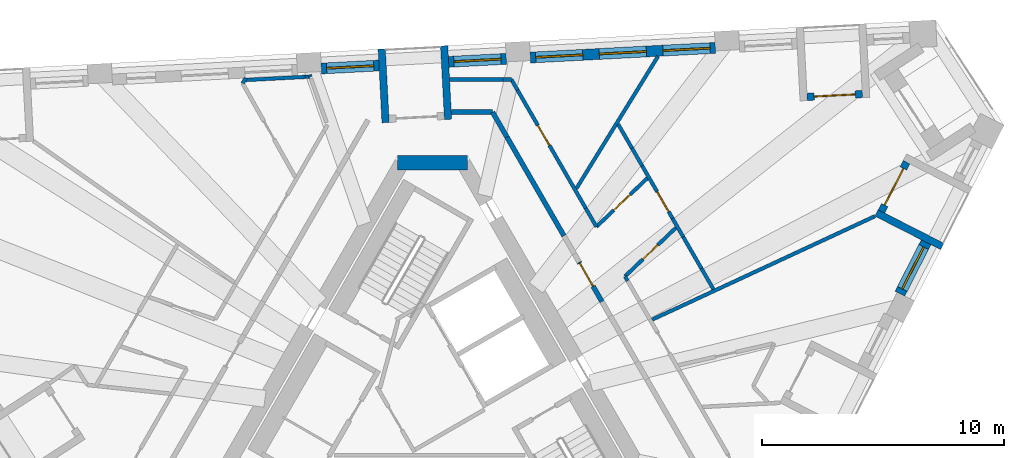
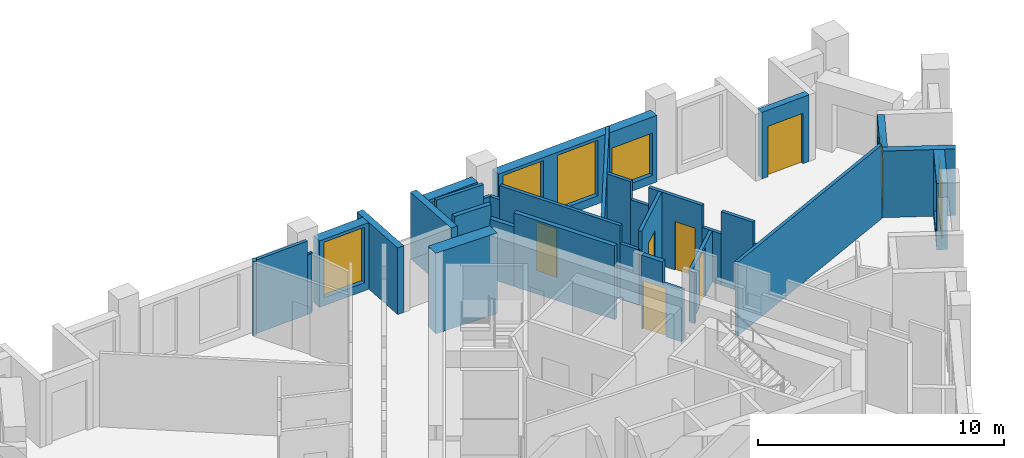
# One storey, part 8 of 13: 34 walls, 7 doors, 6 windows, 13 openings.
"""IFC4 building model written with IfcOpenShell, lengths in metres."""

from ifc_helpers import new_model, si_unit, direction, frame, frame_2d, origin, place, context, subcontext, project, spatial, polyline, rectangle, outline, extrude, material, layer, layer_set, type_object, element, fill, save


model = new_model("IFC4")

# Units and contexts
model_context = context("Model", 3, precision=1e-05, world=origin(), true_north=direction((0.0, 1.0)))
body_context = subcontext(model_context, "Body", "Model", "MODEL_VIEW")
ifc_project = project(units=[si_unit("LENGTHUNIT", "METRE"), si_unit("AREAUNIT", "SQUARE_METRE"), si_unit("VOLUMEUNIT", "CUBIC_METRE"), si_unit("PLANEANGLEUNIT", "RADIAN"), si_unit("MASSUNIT", "GRAM", prefix="KILO")], contexts=[model_context])

# Site, building, storey
site_placement = place(None, origin())
site = spatial("IfcSite", under=ifc_project, at=site_placement, CompositionType="ELEMENT")
building_placement = place(site_placement, origin())
building = spatial("IfcBuilding", under=site, at=building_placement, Name="Tramontana Tower", CompositionType="ELEMENT")
storey_placement = place(building_placement, frame((0.0, 0.0, 294.39990234375)))
storey = spatial("IfcBuildingStorey", under=building, at=storey_placement, Name="L69", CompositionType="ELEMENT", Elevation=294.39990234375)

# Walls
ifc_material_1 = material(Name="Concrete 70 MPa", Category="concrete")
ifc_layer_1 = layer(ifc_material_1, 0.60009765625)
ifc_layer_set_1 = layer_set([ifc_layer_1], Name="Core wall 600 70 MPa")
wall_type_1 = type_object("IfcWallType", Name="Core wall 600 70 MPa", PredefinedType="SHEAR", material=ifc_layer_set_1)
wall_1_placement = place(storey_placement, frame((1.443359375, 10.699951171875, 0.0), z_axis=(0.0, 0.0, 1.0), x_axis=(-1.0, 0.0, 0.0)))
element("IfcWall", 1, at=wall_1_placement, inside=storey, type_object=wall_type_1, Name="Core wall C0 L69", PredefinedType="SHEAR", context=body_context, shape_type="SweptSolid", body=[
    extrude(rectangle(XDim=2.88671875, YDim=0.60009765625, at=frame_2d((1.443359375, 0.0))), origin(), (0.0, 0.0, 1.0), 4.0),
])
ifc_material_2 = material(Name="Blockwork", Category="masonry")
ifc_layer_2 = layer(ifc_material_2, 0.199951171875)
ifc_layer_set_2 = layer_set([ifc_layer_2], Name="ENTRY WALL 200")
wall_type_2 = type_object("IfcWallType", Name="ENTRY WALL 200", PredefinedType="SOLIDWALL", material=ifc_layer_set_2)
wall_2_placement = place(storey_placement, frame((0.774658203125, 12.800048828125, 0.0), z_axis=(0.0, 0.0, 1.0), x_axis=(1.0, 0.0, 0.0)))
element("IfcWall", 2, at=wall_2_placement, inside=storey, type_object=wall_type_2, Name="Wall v71-ew4", PredefinedType="SOLIDWALL", context=body_context, shape_type="SweptSolid", body=[
    extrude(rectangle(XDim=1.7080078125, YDim=0.199951171875, at=frame_2d((0.85400390625, 0.0))), origin(), (0.0, 0.0, 1.0), 3.650146484375),
])
wall_3_placement = place(storey_placement, frame((2.482666015625, 12.800048828125, 0.0), z_axis=(0.0, 0.0, 1.0), x_axis=(0.499983247966, -0.86603507536, 0.0)))
element("IfcWall", 3, at=wall_3_placement, inside=storey, type_object=wall_type_2, Name="Wall v71-ew5-0", PredefinedType="SOLIDWALL", context=body_context, shape_type="SweptSolid", body=[
    extrude(rectangle(XDim=1.1884765625, YDim=0.199951171875, at=frame_2d((0.59423828125, 0.0))), origin(), (0.0, 0.0, 1.0), 2.9501953125),
])
wall_4_placement = place(storey_placement, frame((3.076904296875, 11.770751953125, 0.0), z_axis=(0.0, 0.0, 1.0), x_axis=(0.500007683529, -0.866020967652, 0.0)))
element("IfcWall", 4, at=wall_4_placement, inside=storey, type_object=wall_type_2, Name="Wall v71-ew5-1", PredefinedType="SOLIDWALL", context=body_context, shape_type="SweptSolid", body=[
    extrude(rectangle(XDim=4.71728515625, YDim=0.199951171875, at=frame_2d((2.358642578125, 0.0))), origin(), (0.0, 0.0, 1.0), 3.650146484375),
])

# Wall, opening, door
wall_5_placement = place(storey_placement, frame((6.0654296875, 6.59423828125, 0.0), z_axis=(0.0, 0.0, 1.0), x_axis=(0.499988092049, -0.866032278734, 0.0)))
wall_5 = element("IfcWall", 5, at=wall_5_placement, inside=storey, type_object=wall_type_2, Name="Wall v71-ew5-4", PredefinedType="SOLIDWALL", context=body_context, shape_type="SweptSolid", body=[
    extrude(outline(polyline([(0.0, 0.0), (1.8828125, 0.0), (1.8828125, 2.550048828125), (0.973388671875, 2.550048828125), (0.973388671875, 3.650146484375), (0.0, 3.650146484375), (0.0, 0.0)])), frame((0.0, 0.10009765625, 0.0), z_axis=(0.0, -1.0, 0.0), x_axis=(1.0, 0.0, 0.0)), (0.0, 0.0, 1.0), 0.199951171875),
])
opening_1_placement = place(wall_5_placement, frame((0.050048828125, 0.0, 0.0)))
opening_1 = element("IfcOpeningElement", 6, at=opening_1_placement, cuts=wall_5, Name="Opening B7B-22", PredefinedType="OPENING", context=body_context, shape_type="SweptSolid", body=[
    extrude(rectangle(XDim=1.10009765625, YDim=2.39990234375, at=frame_2d((0.550048828125, 1.199951171875))), frame((0.0, 0.10986328125, 0.0), z_axis=(0.0, -1.0, 0.0), x_axis=(1.0, 0.0, 0.0)), (0.0, 0.0, 1.0), 0.219970703125),
])
ifc_material_3 = material(Name="Painted timber", Category="wood")
door_type_1 = type_object("IfcDoorType", Name="DOOR ENTRY 1100", OperationType="SINGLE_SWING_LEFT", PredefinedType="DOOR", material=ifc_material_3)
door_1_placement = place(opening_1_placement, origin())
door_1 = element("IfcDoor", 7, at=door_1_placement, inside=storey, type_object=door_type_1, Name="Door B7B-22", OperationType="SINGLE_SWING_RIGHT", OverallHeight=2.39990234375, OverallWidth=1.10009765625, PredefinedType="DOOR", context=body_context, shape_type="SweptSolid", body=[
    extrude(rectangle(XDim=1.10009765625, YDim=2.39990234375, at=frame_2d((0.550048828125, 1.199951171875))), frame((0.0, 0.02490234375, 0.0), z_axis=(0.0, -1.0, 0.0), x_axis=(1.0, 0.0, 0.0)), (0.0, 0.0, 1.0), 0.050048828125),
])
fill(opening_1, door_1)

# Wall, opening, window
ifc_material_4 = material(Name="Precast concrete 60 MPa", Category="concrete")
ifc_layer_3 = layer(ifc_material_4, 0.449951171875)
ifc_layer_set_3 = layer_set([ifc_layer_3], Name="Precast concrete 60 MPa, 450 mm")
wall_type_3 = type_object("IfcWallType", Name="EW1 Stone-faced precast wall 450", PredefinedType="SOLIDWALL", material=ifc_layer_set_3)
wall_6_placement = place(storey_placement, frame((19.333740234375, 5.28955078125, 0.0), z_axis=(0.0, 0.0, 1.0), x_axis=(0.453951830128, 0.891026226283, 0.0)))
wall_6 = element("IfcWall", 8, at=wall_6_placement, inside=storey, type_object=wall_type_3, Name="External wall L69 face 1 bay 5", PredefinedType="SOLIDWALL", context=body_context, shape_type="SweptSolid", body=[
    extrude(rectangle(XDim=2.38671875, YDim=0.449951171875, at=frame_2d((1.193359375, 0.0))), origin(), (0.0, 0.0, 1.0), 3.300048828125),
])
opening_2_placement = place(wall_6_placement, frame((0.21826171875, 0.0, 0.39990234375)))
opening_2 = element("IfcOpeningElement", 9, at=opening_2_placement, cuts=wall_6, Name="Opening M3", PredefinedType="OPENING", context=body_context, shape_type="SweptSolid", body=[
    extrude(rectangle(XDim=1.949951171875, YDim=2.75, at=frame_2d((0.97509765625, 1.375))), frame((0.0, 0.23486328125, 0.0), z_axis=(0.0, -1.0, 0.0), x_axis=(1.0, 0.0, 0.0)), (0.0, 0.0, 1.0), 0.469970703125),
])
ifc_material_5 = material(Name="Aluminum frame, double glazing unit", Category="aluminium")
window_type_1 = type_object("IfcWindowType", Name="M3 Window 1.95 x 2.75", PartitioningType="SINGLE_PANEL", PredefinedType="WINDOW", material=ifc_material_5)
window_1_placement = place(opening_2_placement, origin())
window_1 = element("IfcWindow", 10, at=window_1_placement, inside=storey, type_object=window_type_1, Name="Window M3 L69 face 1 module 13", OverallHeight=2.75, OverallWidth=1.949951171875, PartitioningType="SINGLE_PANEL", PredefinedType="WINDOW", context=body_context, shape_type="SweptSolid", body=[
    extrude(rectangle(XDim=1.949951171875, YDim=2.75, at=frame_2d((0.97509765625, 1.375))), frame((0.0, 0.030029296875, 0.0), z_axis=(0.0, -1.0, 0.0), x_axis=(1.0, 0.0, 0.0)), (0.0, 0.0, 1.0), 0.06005859375),
])
fill(opening_2, window_1)

# Wall, openings, windows
wall_7_placement = place(storey_placement, frame((11.697265625, 15.45849609375, 0.0), z_axis=(0.0, 0.0, 1.0), x_axis=(-0.998628023429, -0.052364786088, 0.0)))
wall_7 = element("IfcWall", 11, at=wall_7_placement, inside=storey, type_object=wall_type_3, Name="External wall L69 face 2 bay 2", PredefinedType="SOLIDWALL", context=body_context, shape_type="SweptSolid", body=[
    extrude(rectangle(XDim=7.66015625, YDim=0.449951171875, at=frame_2d((3.830078125, 0.0))), origin(), (0.0, 0.0, 1.0), 3.300048828125),
])
opening_3_placement = place(wall_7_placement, frame((0.21826171875, 0.0, 0.39990234375)))
opening_3 = element("IfcOpeningElement", 12, at=opening_3_placement, cuts=wall_7, Name="Opening M3L", PredefinedType="OPENING", context=body_context, shape_type="SweptSolid", body=[
    extrude(rectangle(XDim=1.949951171875, YDim=2.10009765625, at=frame_2d((0.97509765625, 1.050048828125))), frame((0.0, 0.23486328125, 0.0), z_axis=(0.0, -1.0, 0.0), x_axis=(1.0, 0.0, 0.0)), (0.0, 0.0, 1.0), 0.469970703125),
])
opening_4_placement = place(wall_7_placement, frame((2.855224609375, 0.0, 0.39990234375)))
opening_4 = element("IfcOpeningElement", 13, at=opening_4_placement, cuts=wall_7, Name="Opening M3", PredefinedType="OPENING", context=body_context, shape_type="SweptSolid", body=[
    extrude(rectangle(XDim=1.949951171875, YDim=2.75, at=frame_2d((0.97509765625, 1.375))), frame((0.0, 0.23486328125, 0.0), z_axis=(0.0, -1.0, 0.0), x_axis=(1.0, 0.0, 0.0)), (0.0, 0.0, 1.0), 0.469970703125),
])
opening_5_placement = place(wall_7_placement, frame((5.491943359375, 0.0, 0.39990234375)))
opening_5 = element("IfcOpeningElement", 14, at=opening_5_placement, cuts=wall_7, Name="Opening M3", PredefinedType="OPENING", context=body_context, shape_type="SweptSolid", body=[
    extrude(rectangle(XDim=1.949951171875, YDim=2.75, at=frame_2d((0.97509765625, 1.375))), frame((0.0, 0.23486328125, 0.0), z_axis=(0.0, -1.0, 0.0), x_axis=(1.0, 0.0, 0.0)), (0.0, 0.0, 1.0), 0.469970703125),
])
window_2_placement = place(opening_4_placement, origin())
window_2 = element("IfcWindow", 15, at=window_2_placement, inside=storey, type_object=window_type_1, Name="Window M3 L69 face 2 module 5", OverallHeight=2.75, OverallWidth=1.949951171875, PartitioningType="SINGLE_PANEL", PredefinedType="WINDOW", context=body_context, shape_type="SweptSolid", body=[
    extrude(rectangle(XDim=1.949951171875, YDim=2.75, at=frame_2d((0.97509765625, 1.375))), frame((0.0, 0.030029296875, 0.0), z_axis=(0.0, -1.0, 0.0), x_axis=(1.0, 0.0, 0.0)), (0.0, 0.0, 1.0), 0.06005859375),
])
fill(opening_4, window_2)
window_3_placement = place(opening_5_placement, origin())
window_3 = element("IfcWindow", 16, at=window_3_placement, inside=storey, type_object=window_type_1, Name="Window M3 L69 face 2 module 6", OverallHeight=2.75, OverallWidth=1.949951171875, PartitioningType="SINGLE_PANEL", PredefinedType="WINDOW", context=body_context, shape_type="SweptSolid", body=[
    extrude(rectangle(XDim=1.949951171875, YDim=2.75, at=frame_2d((0.97509765625, 1.375))), frame((0.0, 0.030029296875, 0.0), z_axis=(0.0, -1.0, 0.0), x_axis=(1.0, 0.0, 0.0)), (0.0, 0.0, 1.0), 0.06005859375),
])
fill(opening_5, window_3)
ifc_material_6 = material(Name="Aluminum frame, double glazing unit", Category="aluminium")
window_type_2 = type_object("IfcWindowType", Name="M3L Window 1.95 x 2.1", PartitioningType="SINGLE_PANEL", PredefinedType="WINDOW", material=ifc_material_6)
window_4_placement = place(opening_3_placement, origin())
window_4 = element("IfcWindow", 17, at=window_4_placement, inside=storey, type_object=window_type_2, Name="Window M3L L69 face 2 module 4", OverallHeight=2.10009765625, OverallWidth=1.949951171875, PartitioningType="SINGLE_PANEL", PredefinedType="WINDOW", context=body_context, shape_type="SweptSolid", body=[
    extrude(rectangle(XDim=1.949951171875, YDim=2.10009765625, at=frame_2d((0.97509765625, 1.050048828125))), frame((0.0, 0.030029296875, 0.0), z_axis=(0.0, -1.0, 0.0), x_axis=(1.0, 0.0, 0.0)), (0.0, 0.0, 1.0), 0.06005859375),
])
fill(opening_3, window_4)

# Wall, opening, window
wall_8_placement = place(storey_placement, frame((3.049072265625, 15.005126953125, 0.0), z_axis=(0.0, 0.0, 1.0), x_axis=(-0.998627701279, -0.052370929331, 0.0)))
wall_8 = element("IfcWall", 18, at=wall_8_placement, inside=storey, type_object=wall_type_3, Name="External wall L69 face 2 bay 3", PredefinedType="SOLIDWALL", context=body_context, shape_type="SweptSolid", body=[
    extrude(rectangle(XDim=2.38671875, YDim=0.449951171875, at=frame_2d((1.193359375, 0.0))), origin(), (0.0, 0.0, 1.0), 3.300048828125),
])
opening_6_placement = place(wall_8_placement, frame((0.21826171875, 0.0, 0.39990234375)))
opening_6 = element("IfcOpeningElement", 19, at=opening_6_placement, cuts=wall_8, Name="Opening M3", PredefinedType="OPENING", context=body_context, shape_type="SweptSolid", body=[
    extrude(rectangle(XDim=1.949951171875, YDim=2.75, at=frame_2d((0.97509765625, 1.375))), frame((0.0, 0.23486328125, 0.0), z_axis=(0.0, -1.0, 0.0), x_axis=(1.0, 0.0, 0.0)), (0.0, 0.0, 1.0), 0.469970703125),
])
window_5_placement = place(opening_6_placement, origin())
window_5 = element("IfcWindow", 20, at=window_5_placement, inside=storey, type_object=window_type_1, Name="Window M3 L69 face 2 module 7", OverallHeight=2.75, OverallWidth=1.949951171875, PartitioningType="SINGLE_PANEL", PredefinedType="WINDOW", context=body_context, shape_type="SweptSolid", body=[
    extrude(rectangle(XDim=1.949951171875, YDim=2.75, at=frame_2d((0.97509765625, 1.375))), frame((0.0, 0.030029296875, 0.0), z_axis=(0.0, -1.0, 0.0), x_axis=(1.0, 0.0, 0.0)), (0.0, 0.0, 1.0), 0.06005859375),
])
fill(opening_6, window_5)

wall_9_placement = place(storey_placement, frame((-2.21728515625, 14.729248046875, 0.0), z_axis=(0.0, 0.0, 1.0), x_axis=(-0.998627701279, -0.052370929331, 0.0)))
wall_9 = element("IfcWall", 21, at=wall_9_placement, inside=storey, type_object=wall_type_3, Name="External wall L69 face 2 bay 3", PredefinedType="SOLIDWALL", context=body_context, shape_type="SweptSolid", body=[
    extrude(rectangle(XDim=2.38671875, YDim=0.449951171875, at=frame_2d((1.193359375, 0.0))), origin(), (0.0, 0.0, 1.0), 3.300048828125),
])
opening_7_placement = place(wall_9_placement, frame((0.21826171875, 0.0, 0.39990234375)))
opening_7 = element("IfcOpeningElement", 22, at=opening_7_placement, cuts=wall_9, Name="Opening M3", PredefinedType="OPENING", context=body_context, shape_type="SweptSolid", body=[
    extrude(rectangle(XDim=1.949951171875, YDim=2.75, at=frame_2d((0.97509765625, 1.375))), frame((0.0, 0.23486328125, 0.0), z_axis=(0.0, -1.0, 0.0), x_axis=(1.0, 0.0, 0.0)), (0.0, 0.0, 1.0), 0.469970703125),
])
window_6_placement = place(opening_7_placement, origin())
window_6 = element("IfcWindow", 23, at=window_6_placement, inside=storey, type_object=window_type_1, Name="Window M3 L69 face 2 module 9", OverallHeight=2.75, OverallWidth=1.949951171875, PartitioningType="SINGLE_PANEL", PredefinedType="WINDOW", context=body_context, shape_type="SweptSolid", body=[
    extrude(rectangle(XDim=1.949951171875, YDim=2.75, at=frame_2d((0.97509765625, 1.375))), frame((0.0, 0.030029296875, 0.0), z_axis=(0.0, -1.0, 0.0), x_axis=(1.0, 0.0, 0.0)), (0.0, 0.0, 1.0), 0.06005859375),
])
fill(opening_7, window_6)

# Wall, opening, door
ifc_material_7 = material(Name="Precast concrete 60 MPa", Category="concrete")
ifc_layer_4 = layer(ifc_material_7, 0.300048828125)
ifc_layer_set_4 = layer_set([ifc_layer_4], Name="LW1 Stone-faced loggia wall 300")
wall_type_4 = type_object("IfcWallType", Name="LW1 Stone-faced loggia wall 300", PredefinedType="SOLIDWALL", material=ifc_layer_set_4)
wall_10_placement = place(storey_placement, frame((18.571044921875, 8.693603515625, 0.0), z_axis=(0.0, 0.0, 1.0), x_axis=(0.453948171533, 0.89102809022, 0.0)))
wall_10 = element("IfcWall", 24, at=wall_10_placement, inside=storey, type_object=wall_type_4, Name="Loggia wall L69 G7S1.13", PredefinedType="SOLIDWALL", context=body_context, shape_type="SweptSolid", body=[
    extrude(rectangle(XDim=2.286865234375, YDim=0.300048828125, at=frame_2d((1.1435546875, 0.0))), origin(), (0.0, 0.0, 1.0), 3.300048828125),
])
opening_8_placement = place(wall_10_placement, frame((0.29345703125, 0.0, 0.0)))
opening_8 = element("IfcOpeningElement", 25, at=opening_8_placement, cuts=wall_10, Name="Opening BD-7S1-13", PredefinedType="OPENING", context=body_context, shape_type="SweptSolid", body=[
    extrude(rectangle(XDim=1.699951171875, YDim=2.5, at=frame_2d((0.85009765625, 1.25))), frame((0.0, 0.159912109375, 0.0), z_axis=(0.0, -1.0, 0.0), x_axis=(1.0, 0.0, 0.0)), (0.0, 0.0, 1.0), 0.320068359375),
])
ifc_material_8 = material(Name="Aluminum frame, double glazing unit", Category="aluminium")
door_type_2 = type_object("IfcDoorType", Name="BD3 Sliding door 1.7 x 2.5", OperationType="SLIDING_TO_LEFT", PredefinedType="DOOR", material=ifc_material_8)
door_2_placement = place(opening_8_placement, origin())
door_2 = element("IfcDoor", 26, at=door_2_placement, inside=storey, type_object=door_type_2, Name="Loggia door L69 G7S1.13", OperationType="SLIDING_TO_LEFT", OverallHeight=2.5, OverallWidth=1.699951171875, PredefinedType="DOOR", context=body_context, shape_type="SweptSolid", body=[
    extrude(rectangle(XDim=1.699951171875, YDim=2.5, at=frame_2d((0.85009765625, 1.25))), frame((0.0, 0.02490234375, 0.0), z_axis=(0.0, -1.0, 0.0), x_axis=(1.0, 0.0, 0.0)), (0.0, 0.0, 1.0), 0.050048828125),
])
fill(opening_8, door_2)

# Wall
wall_11_placement = place(storey_placement, frame((21.086669921875, 7.243408203125, 0.0), z_axis=(0.0, 0.0, 1.0), x_axis=(-0.890991233495, 0.454020508165, 0.0)))
element("IfcWall", 27, at=wall_11_placement, inside=storey, type_object=wall_type_4, Name="Loggia return L69 G7S1.13a", PredefinedType="SOLIDWALL", context=body_context, shape_type="SweptSolid", body=[
    extrude(rectangle(XDim=3.050048828125, YDim=0.300048828125, at=frame_2d((1.52490234375, 0.0))), origin(), (0.0, 0.0, 1.0), 3.300048828125),
])

# Wall, opening, door
wall_12_placement = place(storey_placement, frame((17.779052734375, 13.549072265625, 0.0), z_axis=(0.0, 0.0, 1.0), x_axis=(-0.998630483018, -0.052317859155, 0.0)))
wall_12 = element("IfcWall", 28, at=wall_12_placement, inside=storey, type_object=wall_type_4, Name="Loggia wall L69 G7S2.1", PredefinedType="SOLIDWALL", context=body_context, shape_type="SweptSolid", body=[
    extrude(rectangle(XDim=2.28662109375, YDim=0.300048828125, at=frame_2d((1.143310546875, 0.0))), origin(), (0.0, 0.0, 1.0), 3.300048828125),
])
opening_9_placement = place(wall_12_placement, frame((0.29345703125, 0.0, 0.0)))
opening_9 = element("IfcOpeningElement", 29, at=opening_9_placement, cuts=wall_12, Name="Opening BD-7S2-01", PredefinedType="OPENING", context=body_context, shape_type="SweptSolid", body=[
    extrude(rectangle(XDim=1.699951171875, YDim=2.5, at=frame_2d((0.85009765625, 1.25))), frame((0.0, 0.159912109375, 0.0), z_axis=(0.0, -1.0, 0.0), x_axis=(1.0, 0.0, 0.0)), (0.0, 0.0, 1.0), 0.320068359375),
])
door_3_placement = place(opening_9_placement, origin())
door_3 = element("IfcDoor", 30, at=door_3_placement, inside=storey, type_object=door_type_2, Name="Loggia door L69 G7S2.1", OperationType="SLIDING_TO_LEFT", OverallHeight=2.5, OverallWidth=1.699951171875, PredefinedType="DOOR", context=body_context, shape_type="SweptSolid", body=[
    extrude(rectangle(XDim=1.699951171875, YDim=2.5, at=frame_2d((0.85009765625, 1.25))), frame((0.0, 0.02490234375, 0.0), z_axis=(0.0, -1.0, 0.0), x_axis=(1.0, 0.0, 0.0)), (0.0, 0.0, 1.0), 0.050048828125),
])
fill(opening_9, door_3)

# Walls
wall_13_placement = place(storey_placement, frame((0.48046875, 15.54638671875, 0.0), z_axis=(0.0, 0.0, 1.0), x_axis=(0.052352956549, -0.998628643661, 0.0)))
element("IfcWall", 31, at=wall_13_placement, inside=storey, type_object=wall_type_4, Name="Loggia return L69 G7S2.7a", PredefinedType="SOLIDWALL", context=body_context, shape_type="SweptSolid", body=[
    extrude(rectangle(XDim=3.0498046875, YDim=0.300048828125, at=frame_2d((1.52490234375, 0.0))), origin(), (0.0, 0.0, 1.0), 3.300048828125),
])
wall_14_placement = place(storey_placement, frame((-2.102783203125, 15.4111328125, 0.0), z_axis=(0.0, 0.0, 1.0), x_axis=(0.052348771756, -0.99862886304, 0.0)))
element("IfcWall", 32, at=wall_14_placement, inside=storey, type_object=wall_type_4, Name="Loggia return L69 G7S2.7b", PredefinedType="SOLIDWALL", context=body_context, shape_type="SweptSolid", body=[
    extrude(rectangle(XDim=3.050048828125, YDim=0.300048828125, at=frame_2d((1.52490234375, 0.0))), origin(), (0.0, 0.0, 1.0), 3.300048828125),
])
ifc_material_9 = material(Name="Gypsum board partition")
ifc_layer_5 = layer(ifc_material_9, 0.14990234375)
ifc_layer_set_5 = layer_set([ifc_layer_5], Name="PARTITION 150")
wall_type_5 = type_object("IfcWallType", Name="PARTITION 150", PredefinedType="PARTITIONING", material=ifc_layer_set_5)
wall_15_placement = place(storey_placement, frame((-7.8564453125, 13.9921875, 0.0), z_axis=(0.0, 0.0, 1.0), x_axis=(0.499914057068, 0.866075017274, 0.0)))
element("IfcWall", 33, at=wall_15_placement, inside=storey, type_object=wall_type_5, Name="Wall v71-pw11", PredefinedType="PARTITIONING", context=body_context, shape_type="SweptSolid", body=[
    extrude(rectangle(XDim=0.25732421875, YDim=0.14990234375, at=frame_2d((0.128662109375, 0.0))), origin(), (0.0, 0.0, 1.0), 3.650146484375),
])
wall_16_placement = place(storey_placement, frame((-7.723388671875, 14.130126953125, 0.0), z_axis=(0.0, 0.0, 1.0), x_axis=(0.998631230804, 0.052303583645, 0.0)))
element("IfcWall", 34, at=wall_16_placement, inside=storey, type_object=wall_type_5, Name="Wall v71-pw12-0", PredefinedType="PARTITIONING", context=body_context, shape_type="SweptSolid", body=[
    extrude(rectangle(XDim=2.4599609375, YDim=0.14990234375, at=frame_2d((1.22998046875, 0.0))), origin(), (0.0, 0.0, 1.0), 3.650146484375),
])
wall_17_placement = place(storey_placement, frame((-5.266845703125, 14.2587890625, 0.0), z_axis=(0.0, 0.0, 1.0), x_axis=(0.998580804678, 0.053257642916, 0.0)))
element("IfcWall", 35, at=wall_17_placement, inside=storey, type_object=wall_type_5, Name="Wall v71-pw12-1", PredefinedType="PARTITIONING", context=body_context, shape_type="SweptSolid", body=[
    extrude(rectangle(XDim=0.183349609375, YDim=0.14990234375, at=frame_2d((0.091796875, 0.0))), origin(), (0.0, 0.0, 1.0), 2.9501953125),
])
wall_18_placement = place(storey_placement, frame((-5.051025390625, 14.257080078125, 0.0), z_axis=(0.0, 0.0, 1.0), x_axis=(-0.333076318003, 0.942899870816, 0.0)))
element("IfcWall", 36, at=wall_18_placement, inside=storey, type_object=wall_type_5, Name="Wall v71-pw16-0", PredefinedType="PARTITIONING", context=body_context, shape_type="SweptSolid", body=[
    extrude(rectangle(XDim=0.099609375, YDim=0.14990234375, at=frame_2d((0.0498046875, 0.0))), origin(), (0.0, 0.0, 1.0), 2.9501953125),
])
wall_19_placement = place(storey_placement, frame((0.703857421875, 14.14990234375, 0.0), z_axis=(0.0, 0.0, 1.0), x_axis=(1.0, 0.0, 0.0)))
element("IfcWall", 37, at=wall_19_placement, inside=storey, type_object=wall_type_5, Name="Wall v71-pw20-0", PredefinedType="PARTITIONING", context=body_context, shape_type="SweptSolid", body=[
    extrude(rectangle(XDim=2.216796875, YDim=0.14990234375, at=frame_2d((1.1083984375, 0.0))), origin(), (0.0, 0.0, 1.0), 3.650146484375),
])
wall_20_placement = place(storey_placement, frame((2.920654296875, 14.14990234375, 0.0), z_axis=(0.0, 0.0, 1.0), x_axis=(1.0, 0.0, 0.0)))
element("IfcWall", 38, at=wall_20_placement, inside=storey, type_object=wall_type_5, Name="Wall v71-pw20-1", PredefinedType="PARTITIONING", context=body_context, shape_type="SweptSolid", body=[
    extrude(rectangle(XDim=0.34130859375, YDim=0.14990234375, at=frame_2d((0.170654296875, 0.0))), origin(), (0.0, 0.0, 1.0), 2.9501953125),
])
wall_21_placement = place(storey_placement, frame((3.261962890625, 14.14990234375, 0.0), z_axis=(0.0, 0.0, 1.0), x_axis=(0.500115484592, -0.865958718457, 0.0)))
element("IfcWall", 39, at=wall_21_placement, inside=storey, type_object=wall_type_5, Name="Wall v71-pw24-0", PredefinedType="PARTITIONING", context=body_context, shape_type="SweptSolid", body=[
    extrude(rectangle(XDim=0.501953125, YDim=0.14990234375, at=frame_2d((0.2509765625, 0.0))), origin(), (0.0, 0.0, 1.0), 2.9501953125),
])

# Wall, opening, door
wall_22_placement = place(storey_placement, frame((3.512939453125, 13.71533203125, 0.0), z_axis=(0.0, 0.0, 1.0), x_axis=(0.500019542665, -0.866014120528, 0.0)))
wall_22 = element("IfcWall", 40, at=wall_22_placement, inside=storey, type_object=wall_type_5, Name="Wall v71-pw24-1", PredefinedType="PARTITIONING", context=body_context, shape_type="SweptSolid", body=[
    extrude(rectangle(XDim=5.643310546875, YDim=0.14990234375, at=frame_2d((2.82177734375, 0.0))), origin(), (0.0, 0.0, 1.0), 3.650146484375),
])
opening_10_placement = place(wall_22_placement, frame((1.68896484375, 0.0, 0.0)))
opening_10 = element("IfcOpeningElement", 41, at=opening_10_placement, cuts=wall_22, Name="Opening B7B-18", PredefinedType="OPENING", context=body_context, shape_type="SweptSolid", body=[
    extrude(rectangle(XDim=0.949951171875, YDim=2.39990234375, at=frame_2d((0.47509765625, 1.199951171875))), frame((0.0, 0.0849609375, 0.0), z_axis=(0.0, -1.0, 0.0), x_axis=(1.0, 0.0, 0.0)), (0.0, 0.0, 1.0), 0.169921875),
])
ifc_material_10 = material(Name="Painted timber", Category="wood")
door_type_3 = type_object("IfcDoorType", Name="DOOR ROOM 950", OperationType="SINGLE_SWING_LEFT", PredefinedType="DOOR", material=ifc_material_10)
door_4_placement = place(opening_10_placement, origin())
door_4 = element("IfcDoor", 42, at=door_4_placement, inside=storey, type_object=door_type_3, Name="Door B7B-18", OperationType="SINGLE_SWING_RIGHT", OverallHeight=2.39990234375, OverallWidth=0.949951171875, PredefinedType="DOOR", context=body_context, shape_type="SweptSolid", body=[
    extrude(rectangle(XDim=0.949951171875, YDim=2.39990234375, at=frame_2d((0.47509765625, 1.199951171875))), frame((0.0, 0.02490234375, 0.0), z_axis=(0.0, -1.0, 0.0), x_axis=(1.0, 0.0, 0.0)), (0.0, 0.0, 1.0), 0.050048828125),
])
fill(opening_10, door_4)

# Walls
wall_23_placement = place(storey_placement, frame((6.334716796875, 8.828125, 0.0), z_axis=(0.0, 0.0, 1.0), x_axis=(0.499952443665, -0.866052858707, 0.0)))
element("IfcWall", 43, at=wall_23_placement, inside=storey, type_object=wall_type_5, Name="Wall v71-pw24-2", PredefinedType="PARTITIONING", context=body_context, shape_type="SweptSolid", body=[
    extrude(rectangle(XDim=0.88818359375, YDim=0.14990234375, at=frame_2d((0.444091796875, 0.0))), origin(), (0.0, 0.0, 1.0), 2.75),
])
wall_24_placement = place(storey_placement, frame((5.951416015625, 9.641845703125, 0.0), z_axis=(0.0, 0.0, 1.0), x_axis=(0.525218585936, 0.850967353655, 0.0)))
element("IfcWall", 44, at=wall_24_placement, inside=storey, type_object=wall_type_5, Name="Wall v71-pw29", PredefinedType="PARTITIONING", context=body_context, shape_type="SweptSolid", body=[
    extrude(rectangle(XDim=6.424560546875, YDim=0.14990234375, at=frame_2d((3.21240234375, 0.0))), origin(), (0.0, 0.0, 1.0), 3.650146484375),
])

# Wall, opening, door
wall_25_placement = place(storey_placement, frame((6.77880859375, 8.058837890625, 0.0), z_axis=(0.0, 0.0, 1.0), x_axis=(0.723456580419, 0.690369883648, 0.0)))
wall_25 = element("IfcWall", 45, at=wall_25_placement, inside=storey, type_object=wall_type_5, Name="Wall v71-pw31", PredefinedType="PARTITIONING", context=body_context, shape_type="SweptSolid", body=[
    extrude(rectangle(XDim=2.9072265625, YDim=0.14990234375, at=frame_2d((1.45361328125, 0.0))), origin(), (0.0, 0.0, 1.0), 3.650146484375),
])
opening_11_placement = place(wall_25_placement, frame((0.978515625, 0.0, 0.0)))
opening_11 = element("IfcOpeningElement", 46, at=opening_11_placement, cuts=wall_25, Name="Opening B7B-13", PredefinedType="OPENING", context=body_context, shape_type="SweptSolid", body=[
    extrude(rectangle(XDim=0.949951171875, YDim=2.39990234375, at=frame_2d((0.47509765625, 1.199951171875))), frame((0.0, 0.0849609375, 0.0), z_axis=(0.0, -1.0, 0.0), x_axis=(1.0, 0.0, 0.0)), (0.0, 0.0, 1.0), 0.169921875),
])
door_5_placement = place(opening_11_placement, origin())
door_5 = element("IfcDoor", 47, at=door_5_placement, inside=storey, type_object=door_type_3, Name="Door B7B-13", OperationType="SINGLE_SWING_LEFT", OverallHeight=2.39990234375, OverallWidth=0.949951171875, PredefinedType="DOOR", context=body_context, shape_type="SweptSolid", body=[
    extrude(rectangle(XDim=0.949951171875, YDim=2.39990234375, at=frame_2d((0.47509765625, 1.199951171875))), frame((0.0, 0.02490234375, 0.0), z_axis=(0.0, -1.0, 0.0), x_axis=(1.0, 0.0, 0.0)), (0.0, 0.0, 1.0), 0.050048828125),
])
fill(opening_11, door_5)

# Walls
wall_26_placement = place(storey_placement, frame((7.679443359375, 12.298828125, 0.0), z_axis=(0.0, 0.0, 1.0), x_axis=(0.499925626596, -0.866068339032, 0.0)))
element("IfcWall", 48, at=wall_26_placement, inside=storey, type_object=wall_type_5, Name="Wall v71-pw32-0", PredefinedType="PARTITIONING", context=body_context, shape_type="SweptSolid", body=[
    extrude(rectangle(XDim=1.144287109375, YDim=0.14990234375, at=frame_2d((0.572265625, 0.0))), origin(), (0.0, 0.0, 1.0), 3.650146484375),
])
wall_27_placement = place(storey_placement, frame((8.25146484375, 11.307861328125, 0.0), z_axis=(0.0, 0.0, 1.0), x_axis=(0.500151338474, -0.865938010843, 0.0)))
element("IfcWall", 49, at=wall_27_placement, inside=storey, type_object=wall_type_5, Name="Wall v71-pw32-1", PredefinedType="PARTITIONING", context=body_context, shape_type="SweptSolid", body=[
    extrude(rectangle(XDim=0.837646484375, YDim=0.14990234375, at=frame_2d((0.4189453125, 0.0))), origin(), (0.0, 0.0, 1.0), 2.75),
])

# Wall, opening, door
wall_28_placement = place(storey_placement, frame((8.67041015625, 10.58251953125, 0.0), z_axis=(0.0, 0.0, 1.0), x_axis=(0.499938053331, -0.866061165757, 0.0)))
wall_28 = element("IfcWall", 50, at=wall_28_placement, inside=storey, type_object=wall_type_5, Name="Wall v71-pw32-2", PredefinedType="PARTITIONING", context=body_context, shape_type="SweptSolid", body=[
    extrude(rectangle(XDim=2.515869140625, YDim=0.14990234375, at=frame_2d((1.2578125, 0.0))), origin(), (0.0, 0.0, 1.0), 3.650146484375),
])
opening_12_placement = place(wall_28_placement, frame((1.243896484375, 0.0, 0.0)))
opening_12 = element("IfcOpeningElement", 51, at=opening_12_placement, cuts=wall_28, Name="Opening B7B-15", PredefinedType="OPENING", context=body_context, shape_type="SweptSolid", body=[
    extrude(rectangle(XDim=0.949951171875, YDim=2.39990234375, at=frame_2d((0.47509765625, 1.199951171875))), frame((0.0, 0.0849609375, 0.0), z_axis=(0.0, -1.0, 0.0), x_axis=(1.0, 0.0, 0.0)), (0.0, 0.0, 1.0), 0.169921875),
])
door_6_placement = place(opening_12_placement, origin())
door_6 = element("IfcDoor", 52, at=door_6_placement, inside=storey, type_object=door_type_3, Name="Door B7B-15", OperationType="SINGLE_SWING_LEFT", OverallHeight=2.39990234375, OverallWidth=0.949951171875, PredefinedType="DOOR", context=body_context, shape_type="SweptSolid", body=[
    extrude(rectangle(XDim=0.949951171875, YDim=2.39990234375, at=frame_2d((0.47509765625, 1.199951171875))), frame((0.0, 0.02490234375, 0.0), z_axis=(0.0, -1.0, 0.0), x_axis=(1.0, 0.0, 0.0)), (0.0, 0.0, 1.0), 0.050048828125),
])
fill(opening_12, door_6)

# Walls
wall_29_placement = place(storey_placement, frame((9.92822265625, 8.403564453125, 0.0), z_axis=(0.0, 0.0, 1.0), x_axis=(0.500176418896, -0.865923524325, 0.0)))
element("IfcWall", 53, at=wall_29_placement, inside=storey, type_object=wall_type_5, Name="Wall v71-pw32-3", PredefinedType="PARTITIONING", context=body_context, shape_type="SweptSolid", body=[
    extrude(rectangle(XDim=0.884521484375, YDim=0.14990234375, at=frame_2d((0.4423828125, 0.0))), origin(), (0.0, 0.0, 1.0), 2.550048828125),
])
wall_30_placement = place(storey_placement, frame((10.37060546875, 7.6376953125, 0.0), z_axis=(0.0, 0.0, 1.0), x_axis=(0.499983823482, -0.8660347431, 0.0)))
element("IfcWall", 54, at=wall_30_placement, inside=storey, type_object=wall_type_5, Name="Wall v71-pw32-4", PredefinedType="PARTITIONING", context=body_context, shape_type="SweptSolid", body=[
    extrude(rectangle(XDim=1.50927734375, YDim=0.14990234375, at=frame_2d((0.754638671875, 0.0))), origin(), (0.0, 0.0, 1.0), 3.650146484375),
])
wall_31_placement = place(storey_placement, frame((11.125244140625, 6.33056640625, 0.0), z_axis=(0.0, 0.0, 1.0), x_axis=(0.500022136814, -0.866012622712, 0.0)))
element("IfcWall", 55, at=wall_31_placement, inside=storey, type_object=wall_type_5, Name="Wall v71-pw32-5", PredefinedType="PARTITIONING", context=body_context, shape_type="SweptSolid", body=[
    extrude(rectangle(XDim=0.9873046875, YDim=0.14990234375, at=frame_2d((0.49365234375, 0.0))), origin(), (0.0, 0.0, 1.0), 2.550048828125),
])
wall_32_placement = place(storey_placement, frame((7.962158203125, 6.009033203125, 0.0), z_axis=(0.0, 0.0, 1.0), x_axis=(0.500240224089, -0.865886665912, 0.0)))
element("IfcWall", 56, at=wall_32_placement, inside=storey, type_object=wall_type_5, Name="Wall v71-pw33-0", PredefinedType="PARTITIONING", context=body_context, shape_type="SweptSolid", body=[
    extrude(rectangle(XDim=0.2177734375, YDim=0.14990234375, at=frame_2d((0.10888671875, 0.0))), origin(), (0.0, 0.0, 1.0), 2.550048828125),
])

# Wall, opening, door
wall_33_placement = place(storey_placement, frame((10.0654296875, 8.01611328125, 0.0), z_axis=(0.0, 0.0, 1.0), x_axis=(-0.723456580419, -0.690369883648, 0.0)))
wall_33 = element("IfcWall", 57, at=wall_33_placement, inside=storey, type_object=wall_type_5, Name="Wall v71-pw35-0", PredefinedType="PARTITIONING", context=body_context, shape_type="SweptSolid", body=[
    extrude(rectangle(XDim=2.9072265625, YDim=0.14990234375, at=frame_2d((1.45361328125, 0.0))), origin(), (0.0, 0.0, 1.0), 2.550048828125),
])
opening_13_placement = place(wall_33_placement, frame((1.028564453125, 0.0, 0.0)))
opening_13 = element("IfcOpeningElement", 58, at=opening_13_placement, cuts=wall_33, Name="Opening B7B-14", PredefinedType="OPENING", context=body_context, shape_type="SweptSolid", body=[
    extrude(rectangle(XDim=0.85009765625, YDim=2.39990234375, at=frame_2d((0.425048828125, 1.199951171875))), frame((0.0, 0.0849609375, 0.0), z_axis=(0.0, -1.0, 0.0), x_axis=(1.0, 0.0, 0.0)), (0.0, 0.0, 1.0), 0.169921875),
])
ifc_material_11 = material(Name="Painted timber", Category="wood")
door_type_4 = type_object("IfcDoorType", Name="DOOR BATH 850", OperationType="SINGLE_SWING_LEFT", PredefinedType="DOOR", material=ifc_material_11)
door_7_placement = place(opening_13_placement, origin())
door_7 = element("IfcDoor", 59, at=door_7_placement, inside=storey, type_object=door_type_4, Name="Door B7B-14", OperationType="SINGLE_SWING_RIGHT", OverallHeight=2.39990234375, OverallWidth=0.85009765625, PredefinedType="DOOR", context=body_context, shape_type="SweptSolid", body=[
    extrude(rectangle(XDim=0.85009765625, YDim=2.39990234375, at=frame_2d((0.425048828125, 1.199951171875))), frame((0.0, 0.02490234375, 0.0), z_axis=(0.0, -1.0, 0.0), x_axis=(1.0, 0.0, 0.0)), (0.0, 0.0, 1.0), 0.050048828125),
])
fill(opening_13, door_7)

# Wall
wall_34_placement = place(storey_placement, frame((18.301025390625, 8.494384765625, 0.0), z_axis=(0.0, 0.0, 1.0), x_axis=(-0.907056484696, -0.421008947139, 0.0)))
element("IfcWall", 60, at=wall_34_placement, inside=storey, type_object=wall_type_5, Name="Wall v71-pw43", PredefinedType="PARTITIONING", context=body_context, shape_type="SweptSolid", body=[
    extrude(rectangle(XDim=10.161376953125, YDim=0.14990234375, at=frame_2d((5.08056640625, 0.0))), origin(), (0.0, 0.0, 1.0), 3.650146484375),
])

save(model, "model.ifc")
